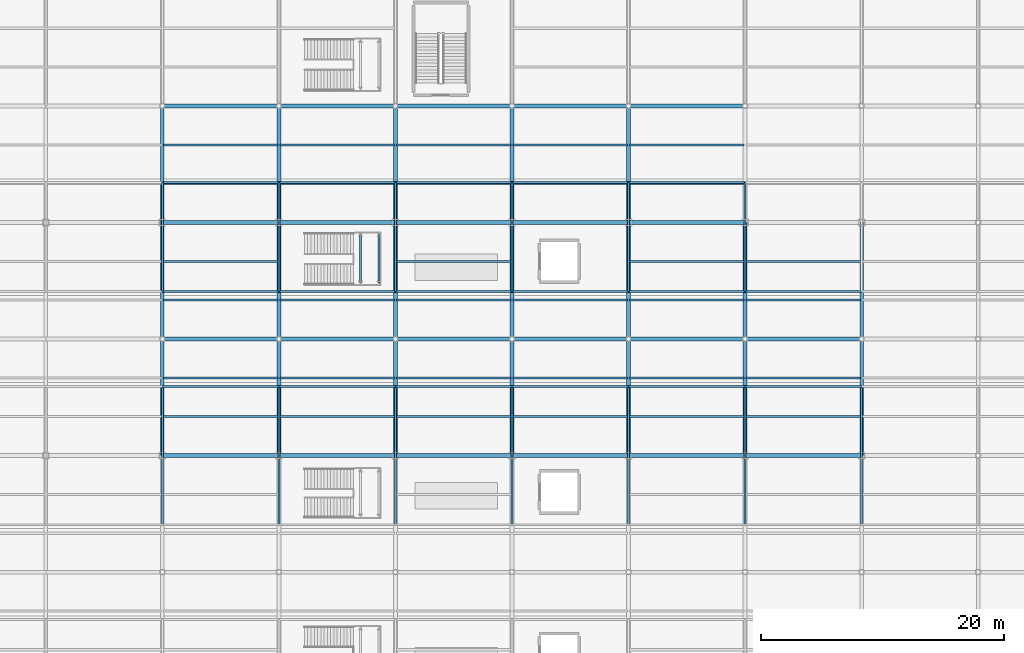
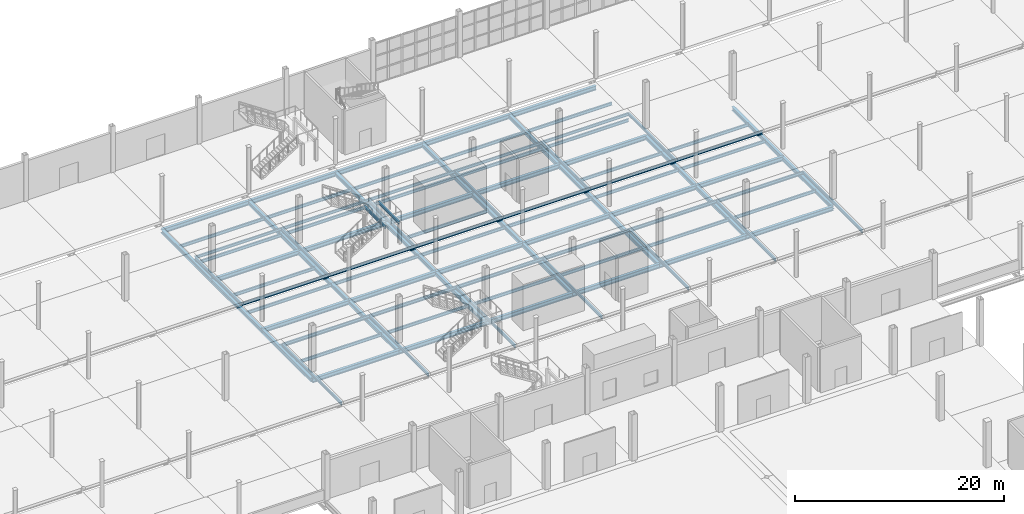
# One storey, part 32 of 85: 105 beams.
"""IFC4 building model written with IfcOpenShell, lengths in metres."""

from ifc_helpers import new_model, si_unit, direction, frame, origin, origin_2d, place, context, subcontext, project, spatial, i_section, extrude, material, material_profile, profile_set, type_object, element, save


model = new_model("IFC4")

# Units and contexts
model_context = context("Model", 3, precision=1e-05, world=origin(), true_north=direction((0.0, 1.0)))
body_context = subcontext(model_context, "Body", "Model", "MODEL_VIEW")
ifc_project = project(units=[si_unit("LENGTHUNIT", "METRE"), si_unit("AREAUNIT", "SQUARE_METRE"), si_unit("VOLUMEUNIT", "CUBIC_METRE"), si_unit("PLANEANGLEUNIT", "RADIAN"), si_unit("MASSUNIT", "GRAM", prefix="KILO")], contexts=[model_context])

# Site, building, storey
site_placement = place(None, origin())
site = spatial("IfcSite", under=ifc_project, at=site_placement, CompositionType="ELEMENT")
building_placement = place(site_placement, origin())
building = spatial("IfcBuilding", under=site, at=building_placement, Name="Zarnetskaya Central Station", CompositionType="ELEMENT")
storey_placement = place(building_placement, origin())
storey = spatial("IfcBuildingStorey", under=building, at=storey_placement, Name="L00", CompositionType="ELEMENT", Elevation=0.0)

# Beams
ifc_material = material(Name="Steel S355", Category="steel")
ifc_material_profile_1 = material_profile(ifc_material, i_section(OverallWidth=0.14990234375, OverallDepth=0.300048828125, WebThickness=0.007080078125, FlangeThickness=0.0107421875, FilletRadius=0.014892578125, at=origin_2d()), Name="IPE 300")
ifc_profile_set_1 = profile_set([ifc_material_profile_1], Name="Steel S355")
beam_type_1 = type_object("IfcBeamType", Name="BM-SEC-300", PredefinedType="BEAM", material=ifc_profile_set_1)
for number, where, z_axis, x_axis, name in (
    (1, (83.530029296875, 100.60009765625, 2.364990234375), (0.0, 1.0, 0.0), (-1.0, 0.0, 0.0), "Stair half-landing bearer BM-STL-ST-P3-W"),
    (2, (85.050048828125, 100.60009765625, 2.364990234375), (0.0, 1.0, 0.0), (-1.0, 0.0, 0.0), "Stair half-landing bearer BM-STL-ST-P3-E"),
):
    element("IfcBeam", number, at=place(storey_placement, frame(where, z_axis=z_axis, x_axis=x_axis)), inside=storey, type_object=beam_type_1, Name=name, PredefinedType="BEAM", context=body_context, shape_type="SweptSolid", body=[
        extrude(i_section(OverallWidth=0.14990234375, OverallDepth=0.300048828125, WebThickness=0.007080078125, FlangeThickness=0.0107421875, FilletRadius=0.014892578125, at=origin_2d()), origin(), (0.0, 0.0, 1.0), 4.0),
    ])
ifc_material_profile_2 = material_profile(ifc_material, i_section(OverallWidth=0.159912109375, OverallDepth=0.330078125, WebThickness=0.007568359375, FlangeThickness=0.011474609375, FilletRadius=0.01806640625, at=origin_2d()), Name="IPE 330")
ifc_profile_set_2 = profile_set([ifc_material_profile_2], Name="Steel S355")
beam_type_2 = type_object("IfcBeamType", Name="BM-SEC-330", PredefinedType="BEAM", material=ifc_profile_set_2)
for number, where, z_axis, x_axis, name in (
    (3, (67.199951171875, 80.699951171875, -0.465087890625), (0.0, 1.0, 0.0), (-1.0, 0.0, 0.0), "Platform transverse bearer GY-PLT-P2-H"),
    (4, (76.800048828125, 80.699951171875, -0.465087890625), (0.0, 1.0, 0.0), (-1.0, 0.0, 0.0), "Platform transverse bearer GY-PLT-P2-J"),
    (5, (86.39990234375, 80.699951171875, -0.465087890625), (0.0, 1.0, 0.0), (-1.0, 0.0, 0.0), "Platform transverse bearer GY-PLT-P2-K"),
    (6, (96.0, 80.699951171875, -0.465087890625), (0.0, 1.0, 0.0), (-1.0, 0.0, 0.0), "Platform transverse bearer GY-PLT-P2-L"),
    (7, (105.60009765625, 80.699951171875, -0.465087890625), (0.0, 1.0, 0.0), (-1.0, 0.0, 0.0), "Platform transverse bearer GY-PLT-P2-M"),
    (8, (115.199951171875, 80.699951171875, -0.465087890625), (0.0, 1.0, 0.0), (-1.0, 0.0, 0.0), "Platform transverse bearer GY-PLT-P2-N"),
    (9, (124.800048828125, 80.699951171875, -0.465087890625), (0.0, 1.0, 0.0), (-1.0, 0.0, 0.0), "Platform transverse bearer GY-PLT-P2-P"),
):
    element("IfcBeam", number, at=place(storey_placement, frame(where, z_axis=z_axis, x_axis=x_axis)), inside=storey, type_object=beam_type_2, Name=name, PredefinedType="BEAM", context=body_context, shape_type="SweptSolid", body=[
        extrude(i_section(OverallWidth=0.159912109375, OverallDepth=0.330078125, WebThickness=0.007568359375, FlangeThickness=0.011474609375, FilletRadius=0.01806640625, at=origin_2d()), origin(), (0.0, 0.0, 1.0), 11.400146484375),
    ])
beam_1_placement = place(storey_placement, frame((67.199951171875, 92.10009765625, -0.465087890625), z_axis=(1.0, 0.0, 0.0), x_axis=(0.0, 1.0, 0.0)))
element("IfcBeam", 10, at=beam_1_placement, inside=storey, type_object=beam_type_2, Name="Platform north edge beam GX-PLT-P2-HJ-N", PredefinedType="BEAM", context=body_context, shape_type="SweptSolid", body=[
    extrude(i_section(OverallWidth=0.159912109375, OverallDepth=0.330078125, WebThickness=0.007568359375, FlangeThickness=0.011474609375, FilletRadius=0.01806640625, at=origin_2d()), origin(), (0.0, 0.0, 1.0), 9.60009765625),
])
beam_2_placement = place(storey_placement, frame((76.800048828125, 92.10009765625, -0.465087890625), z_axis=(1.0, 0.0, 0.0), x_axis=(0.0, 1.0, 0.0)))
element("IfcBeam", 11, at=beam_2_placement, inside=storey, type_object=beam_type_2, Name="Platform north edge beam GX-PLT-P2-JK-N", PredefinedType="BEAM", context=body_context, shape_type="SweptSolid", body=[
    extrude(i_section(OverallWidth=0.159912109375, OverallDepth=0.330078125, WebThickness=0.007568359375, FlangeThickness=0.011474609375, FilletRadius=0.01806640625, at=origin_2d()), origin(), (0.0, 0.0, 1.0), 9.599853515625),
])
for number, where, z_axis, x_axis, name in (
    (12, (86.39990234375, 92.10009765625, -0.465087890625), (1.0, 0.0, 0.0), (0.0, 1.0, 0.0), "Platform north edge beam GX-PLT-P2-KL-N"),
    (13, (96.0, 92.10009765625, -0.465087890625), (1.0, 0.0, 0.0), (0.0, 1.0, 0.0), "Platform north edge beam GX-PLT-P2-LM-N"),
):
    element("IfcBeam", number, at=place(storey_placement, frame(where, z_axis=z_axis, x_axis=x_axis)), inside=storey, type_object=beam_type_2, Name=name, PredefinedType="BEAM", context=body_context, shape_type="SweptSolid", body=[
        extrude(i_section(OverallWidth=0.159912109375, OverallDepth=0.330078125, WebThickness=0.007568359375, FlangeThickness=0.011474609375, FilletRadius=0.01806640625, at=origin_2d()), origin(), (0.0, 0.0, 1.0), 9.60009765625),
    ])
beam_3_placement = place(storey_placement, frame((105.60009765625, 92.10009765625, -0.465087890625), z_axis=(1.0, 0.0, 0.0), x_axis=(0.0, 1.0, 0.0)))
element("IfcBeam", 14, at=beam_3_placement, inside=storey, type_object=beam_type_2, Name="Platform north edge beam GX-PLT-P2-MN-N", PredefinedType="BEAM", context=body_context, shape_type="SweptSolid", body=[
    extrude(i_section(OverallWidth=0.159912109375, OverallDepth=0.330078125, WebThickness=0.007568359375, FlangeThickness=0.011474609375, FilletRadius=0.01806640625, at=origin_2d()), origin(), (0.0, 0.0, 1.0), 9.599853515625),
])
beam_4_placement = place(storey_placement, frame((115.199951171875, 92.10009765625, -0.465087890625), z_axis=(1.0, 0.0, 0.0), x_axis=(0.0, 1.0, 0.0)))
element("IfcBeam", 15, at=beam_4_placement, inside=storey, type_object=beam_type_2, Name="Platform north edge beam GX-PLT-P2-NP-N", PredefinedType="BEAM", context=body_context, shape_type="SweptSolid", body=[
    extrude(i_section(OverallWidth=0.159912109375, OverallDepth=0.330078125, WebThickness=0.007568359375, FlangeThickness=0.011474609375, FilletRadius=0.01806640625, at=origin_2d()), origin(), (0.0, 0.0, 1.0), 9.60009765625),
])
for number, where, z_axis, x_axis, name in (
    (16, (67.199951171875, 99.89990234375, -0.465087890625), (0.0, 1.0, 0.0), (-1.0, 0.0, 0.0), "Platform transverse bearer GY-PLT-P3-H"),
    (17, (76.800048828125, 99.89990234375, -0.465087890625), (0.0, 1.0, 0.0), (-1.0, 0.0, 0.0), "Platform transverse bearer GY-PLT-P3-J"),
    (18, (86.39990234375, 99.89990234375, -0.465087890625), (0.0, 1.0, 0.0), (-1.0, 0.0, 0.0), "Platform transverse bearer GY-PLT-P3-K"),
    (19, (96.0, 99.89990234375, -0.465087890625), (0.0, 1.0, 0.0), (-1.0, 0.0, 0.0), "Platform transverse bearer GY-PLT-P3-L"),
    (20, (105.60009765625, 99.89990234375, -0.465087890625), (0.0, 1.0, 0.0), (-1.0, 0.0, 0.0), "Platform transverse bearer GY-PLT-P3-M"),
    (21, (115.199951171875, 99.89990234375, -0.465087890625), (0.0, 1.0, 0.0), (-1.0, 0.0, 0.0), "Platform transverse bearer GY-PLT-P3-N"),
):
    element("IfcBeam", number, at=place(storey_placement, frame(where, z_axis=z_axis, x_axis=x_axis)), inside=storey, type_object=beam_type_2, Name=name, PredefinedType="BEAM", context=body_context, shape_type="SweptSolid", body=[
        extrude(i_section(OverallWidth=0.159912109375, OverallDepth=0.330078125, WebThickness=0.007568359375, FlangeThickness=0.011474609375, FilletRadius=0.01806640625, at=origin_2d()), origin(), (0.0, 0.0, 1.0), 9.0),
    ])
for number, where, z_axis, x_axis, name in (
    (22, (67.199951171875, 99.89990234375, -0.465087890625), (1.0, 0.0, 0.0), (0.0, 1.0, 0.0), "Platform south edge beam GX-PLT-P3-HJ-S"),
    (23, (67.199951171875, 108.89990234375, -0.465087890625), (1.0, 0.0, 0.0), (0.0, 1.0, 0.0), "Platform north edge beam GX-PLT-P3-HJ-N"),
):
    element("IfcBeam", number, at=place(storey_placement, frame(where, z_axis=z_axis, x_axis=x_axis)), inside=storey, type_object=beam_type_2, Name=name, PredefinedType="BEAM", context=body_context, shape_type="SweptSolid", body=[
        extrude(i_section(OverallWidth=0.159912109375, OverallDepth=0.330078125, WebThickness=0.007568359375, FlangeThickness=0.011474609375, FilletRadius=0.01806640625, at=origin_2d()), origin(), (0.0, 0.0, 1.0), 9.60009765625),
    ])
for number, where, z_axis, x_axis, name in (
    (24, (76.800048828125, 99.89990234375, -0.465087890625), (1.0, 0.0, 0.0), (0.0, 1.0, 0.0), "Platform south edge beam GX-PLT-P3-JK-S"),
    (25, (76.800048828125, 108.89990234375, -0.465087890625), (1.0, 0.0, 0.0), (0.0, 1.0, 0.0), "Platform north edge beam GX-PLT-P3-JK-N"),
):
    element("IfcBeam", number, at=place(storey_placement, frame(where, z_axis=z_axis, x_axis=x_axis)), inside=storey, type_object=beam_type_2, Name=name, PredefinedType="BEAM", context=body_context, shape_type="SweptSolid", body=[
        extrude(i_section(OverallWidth=0.159912109375, OverallDepth=0.330078125, WebThickness=0.007568359375, FlangeThickness=0.011474609375, FilletRadius=0.01806640625, at=origin_2d()), origin(), (0.0, 0.0, 1.0), 9.599853515625),
    ])
for number, where, z_axis, x_axis, name in (
    (26, (86.39990234375, 99.89990234375, -0.465087890625), (1.0, 0.0, 0.0), (0.0, 1.0, 0.0), "Platform south edge beam GX-PLT-P3-KL-S"),
    (27, (86.39990234375, 108.89990234375, -0.465087890625), (1.0, 0.0, 0.0), (0.0, 1.0, 0.0), "Platform north edge beam GX-PLT-P3-KL-N"),
    (28, (96.0, 99.89990234375, -0.465087890625), (1.0, 0.0, 0.0), (0.0, 1.0, 0.0), "Platform south edge beam GX-PLT-P3-LM-S"),
    (29, (96.0, 108.89990234375, -0.465087890625), (1.0, 0.0, 0.0), (0.0, 1.0, 0.0), "Platform north edge beam GX-PLT-P3-LM-N"),
):
    element("IfcBeam", number, at=place(storey_placement, frame(where, z_axis=z_axis, x_axis=x_axis)), inside=storey, type_object=beam_type_2, Name=name, PredefinedType="BEAM", context=body_context, shape_type="SweptSolid", body=[
        extrude(i_section(OverallWidth=0.159912109375, OverallDepth=0.330078125, WebThickness=0.007568359375, FlangeThickness=0.011474609375, FilletRadius=0.01806640625, at=origin_2d()), origin(), (0.0, 0.0, 1.0), 9.60009765625),
    ])
for number, where, z_axis, x_axis, name in (
    (30, (105.60009765625, 99.89990234375, -0.465087890625), (1.0, 0.0, 0.0), (0.0, 1.0, 0.0), "Platform south edge beam GX-PLT-P3-MN-S"),
    (31, (105.60009765625, 108.89990234375, -0.465087890625), (1.0, 0.0, 0.0), (0.0, 1.0, 0.0), "Platform north edge beam GX-PLT-P3-MN-N"),
):
    element("IfcBeam", number, at=place(storey_placement, frame(where, z_axis=z_axis, x_axis=x_axis)), inside=storey, type_object=beam_type_2, Name=name, PredefinedType="BEAM", context=body_context, shape_type="SweptSolid", body=[
        extrude(i_section(OverallWidth=0.159912109375, OverallDepth=0.330078125, WebThickness=0.007568359375, FlangeThickness=0.011474609375, FilletRadius=0.01806640625, at=origin_2d()), origin(), (0.0, 0.0, 1.0), 9.599853515625),
    ])
beam_5_placement = place(storey_placement, frame((115.199951171875, 99.89990234375, -0.465087890625), z_axis=(1.0, 0.0, 0.0), x_axis=(0.0, 1.0, 0.0)))
element("IfcBeam", 32, at=beam_5_placement, inside=storey, type_object=beam_type_2, Name="Platform south edge beam GX-PLT-P3-NP-S", PredefinedType="BEAM", context=body_context, shape_type="SweptSolid", body=[
    extrude(i_section(OverallWidth=0.159912109375, OverallDepth=0.330078125, WebThickness=0.007568359375, FlangeThickness=0.011474609375, FilletRadius=0.01806640625, at=origin_2d()), origin(), (0.0, 0.0, 1.0), 9.60009765625),
])
ifc_material_profile_3 = material_profile(ifc_material, i_section(OverallWidth=0.169921875, OverallDepth=0.360107421875, WebThickness=0.008056640625, FlangeThickness=0.0126953125, FilletRadius=0.01806640625, at=origin_2d()), Name="IPE 360")
ifc_profile_set_3 = profile_set([ifc_material_profile_3], Name="Steel S355")
beam_type_3 = type_object("IfcBeamType", Name="BM-SEC-360", PredefinedType="BEAM", material=ifc_profile_set_3)
for number, where, z_axis, x_axis, name in (
    (33, (67.280029296875, 89.60009765625, -1.090087890625), (1.0, 0.0, 0.0), (0.0, 1.0, 0.0), "Secondary floor beam SEC-L00-Z91-HJ-1112-1"),
    (34, (67.280029296875, 92.800048828125, -1.090087890625), (1.0, 0.0, 0.0), (0.0, 1.0, 0.0), "Secondary floor beam SEC-L00-Z91-HJ-1112-2"),
    (35, (67.280029296875, 99.199951171875, -1.090087890625), (1.0, 0.0, 0.0), (0.0, 1.0, 0.0), "Secondary floor beam SEC-L00-Z91-HJ-1213-1"),
    (36, (67.280029296875, 102.39990234375, -1.090087890625), (1.0, 0.0, 0.0), (0.0, 1.0, 0.0), "Secondary floor beam SEC-L00-Z91-HJ-1213-2"),
    (37, (67.280029296875, 108.800048828125, -1.090087890625), (1.0, 0.0, 0.0), (0.0, 1.0, 0.0), "Secondary floor beam SEC-L00-Z91-HJ-1314-1"),
    (38, (67.280029296875, 112.0, -1.090087890625), (1.0, 0.0, 0.0), (0.0, 1.0, 0.0), "Secondary floor beam SEC-L00-Z91-HJ-1314-2"),
):
    element("IfcBeam", number, at=place(storey_placement, frame(where, z_axis=z_axis, x_axis=x_axis)), inside=storey, type_object=beam_type_3, Name=name, PredefinedType="BEAM", context=body_context, shape_type="SweptSolid", body=[
        extrude(i_section(OverallWidth=0.169921875, OverallDepth=0.360107421875, WebThickness=0.008056640625, FlangeThickness=0.0126953125, FilletRadius=0.01806640625, at=origin_2d()), origin(), (0.0, 0.0, 1.0), 9.43994140625),
    ])
for number, where, z_axis, x_axis, name in (
    (39, (76.8798828125, 89.60009765625, -1.090087890625), (1.0, 0.0, 0.0), (0.0, 1.0, 0.0), "Secondary floor beam SEC-L00-Z91-JK-1112-1"),
    (40, (76.8798828125, 92.800048828125, -1.090087890625), (1.0, 0.0, 0.0), (0.0, 1.0, 0.0), "Secondary floor beam SEC-L00-Z91-JK-1112-2"),
    (41, (76.8798828125, 99.199951171875, -1.090087890625), (1.0, 0.0, 0.0), (0.0, 1.0, 0.0), "Secondary floor beam SEC-L00-Z91-JK-1213-1"),
    (42, (76.8798828125, 108.800048828125, -1.090087890625), (1.0, 0.0, 0.0), (0.0, 1.0, 0.0), "Secondary floor beam SEC-L00-Z91-JK-1314-1"),
    (43, (76.8798828125, 112.0, -1.090087890625), (1.0, 0.0, 0.0), (0.0, 1.0, 0.0), "Secondary floor beam SEC-L00-Z91-JK-1314-2"),
):
    element("IfcBeam", number, at=place(storey_placement, frame(where, z_axis=z_axis, x_axis=x_axis)), inside=storey, type_object=beam_type_3, Name=name, PredefinedType="BEAM", context=body_context, shape_type="SweptSolid", body=[
        extrude(i_section(OverallWidth=0.169921875, OverallDepth=0.360107421875, WebThickness=0.008056640625, FlangeThickness=0.0126953125, FilletRadius=0.01806640625, at=origin_2d()), origin(), (0.0, 0.0, 1.0), 9.440185546875),
    ])
for number, where, z_axis, x_axis, name in (
    (44, (86.47998046875, 89.60009765625, -1.090087890625), (1.0, 0.0, 0.0), (0.0, 1.0, 0.0), "Secondary floor beam SEC-L00-Z91-KL-1112-1"),
    (45, (86.47998046875, 92.800048828125, -1.090087890625), (1.0, 0.0, 0.0), (0.0, 1.0, 0.0), "Secondary floor beam SEC-L00-Z91-KL-1112-2"),
    (46, (86.47998046875, 99.199951171875, -1.090087890625), (1.0, 0.0, 0.0), (0.0, 1.0, 0.0), "Secondary floor beam SEC-L00-Z91-KL-1213-1"),
    (47, (86.47998046875, 102.39990234375, -1.090087890625), (1.0, 0.0, 0.0), (0.0, 1.0, 0.0), "Secondary floor beam SEC-L00-Z91-KL-1213-2"),
    (48, (86.47998046875, 108.800048828125, -1.090087890625), (1.0, 0.0, 0.0), (0.0, 1.0, 0.0), "Secondary floor beam SEC-L00-Z91-KL-1314-1"),
    (49, (86.47998046875, 112.0, -1.090087890625), (1.0, 0.0, 0.0), (0.0, 1.0, 0.0), "Secondary floor beam SEC-L00-Z91-KL-1314-2"),
    (50, (96.080078125, 89.60009765625, -1.090087890625), (1.0, 0.0, 0.0), (0.0, 1.0, 0.0), "Secondary floor beam SEC-L00-Z91-LM-1112-1"),
    (51, (96.080078125, 92.800048828125, -1.090087890625), (1.0, 0.0, 0.0), (0.0, 1.0, 0.0), "Secondary floor beam SEC-L00-Z91-LM-1112-2"),
    (52, (96.080078125, 99.199951171875, -1.090087890625), (1.0, 0.0, 0.0), (0.0, 1.0, 0.0), "Secondary floor beam SEC-L00-Z91-LM-1213-1"),
    (53, (96.080078125, 108.800048828125, -1.090087890625), (1.0, 0.0, 0.0), (0.0, 1.0, 0.0), "Secondary floor beam SEC-L00-Z91-LM-1314-1"),
    (54, (96.080078125, 112.0, -1.090087890625), (1.0, 0.0, 0.0), (0.0, 1.0, 0.0), "Secondary floor beam SEC-L00-Z91-LM-1314-2"),
):
    element("IfcBeam", number, at=place(storey_placement, frame(where, z_axis=z_axis, x_axis=x_axis)), inside=storey, type_object=beam_type_3, Name=name, PredefinedType="BEAM", context=body_context, shape_type="SweptSolid", body=[
        extrude(i_section(OverallWidth=0.169921875, OverallDepth=0.360107421875, WebThickness=0.008056640625, FlangeThickness=0.0126953125, FilletRadius=0.01806640625, at=origin_2d()), origin(), (0.0, 0.0, 1.0), 9.43994140625),
    ])
for number, where, z_axis, x_axis, name in (
    (55, (105.679931640625, 89.60009765625, -1.090087890625), (1.0, 0.0, 0.0), (0.0, 1.0, 0.0), "Secondary floor beam SEC-L00-Z91-MN-1112-1"),
    (56, (105.679931640625, 92.800048828125, -1.090087890625), (1.0, 0.0, 0.0), (0.0, 1.0, 0.0), "Secondary floor beam SEC-L00-Z91-MN-1112-2"),
    (57, (105.679931640625, 99.199951171875, -1.090087890625), (1.0, 0.0, 0.0), (0.0, 1.0, 0.0), "Secondary floor beam SEC-L00-Z91-MN-1213-1"),
    (58, (105.679931640625, 102.39990234375, -1.090087890625), (1.0, 0.0, 0.0), (0.0, 1.0, 0.0), "Secondary floor beam SEC-L00-Z91-MN-1213-2"),
    (59, (105.679931640625, 108.800048828125, -1.090087890625), (1.0, 0.0, 0.0), (0.0, 1.0, 0.0), "Secondary floor beam SEC-L00-Z91-MN-1314-1"),
    (60, (105.679931640625, 112.0, -1.090087890625), (1.0, 0.0, 0.0), (0.0, 1.0, 0.0), "Secondary floor beam SEC-L00-Z91-MN-1314-2"),
):
    element("IfcBeam", number, at=place(storey_placement, frame(where, z_axis=z_axis, x_axis=x_axis)), inside=storey, type_object=beam_type_3, Name=name, PredefinedType="BEAM", context=body_context, shape_type="SweptSolid", body=[
        extrude(i_section(OverallWidth=0.169921875, OverallDepth=0.360107421875, WebThickness=0.008056640625, FlangeThickness=0.0126953125, FilletRadius=0.01806640625, at=origin_2d()), origin(), (0.0, 0.0, 1.0), 9.440185546875),
    ])
for number, where, z_axis, x_axis, name in (
    (61, (115.280029296875, 89.60009765625, -1.090087890625), (1.0, 0.0, 0.0), (0.0, 1.0, 0.0), "Secondary floor beam SEC-L00-Z91-NP-1112-1"),
    (62, (115.280029296875, 92.800048828125, -1.090087890625), (1.0, 0.0, 0.0), (0.0, 1.0, 0.0), "Secondary floor beam SEC-L00-Z91-NP-1112-2"),
    (63, (115.280029296875, 99.199951171875, -1.090087890625), (1.0, 0.0, 0.0), (0.0, 1.0, 0.0), "Secondary floor beam SEC-L00-Z91-NP-1213-1"),
    (64, (115.280029296875, 102.39990234375, -1.090087890625), (1.0, 0.0, 0.0), (0.0, 1.0, 0.0), "Secondary floor beam SEC-L00-Z91-NP-1213-2"),
):
    element("IfcBeam", number, at=place(storey_placement, frame(where, z_axis=z_axis, x_axis=x_axis)), inside=storey, type_object=beam_type_3, Name=name, PredefinedType="BEAM", context=body_context, shape_type="SweptSolid", body=[
        extrude(i_section(OverallWidth=0.169921875, OverallDepth=0.360107421875, WebThickness=0.008056640625, FlangeThickness=0.0126953125, FilletRadius=0.01806640625, at=origin_2d()), origin(), (0.0, 0.0, 1.0), 9.43994140625),
    ])
ifc_material_profile_4 = material_profile(ifc_material, i_section(OverallWidth=0.300048828125, OverallDepth=0.449951171875, WebThickness=0.013916015625, FlangeThickness=0.02587890625, FilletRadius=0.027099609375, at=origin_2d()), Name="HEB 450")
ifc_profile_set_4 = profile_set([ifc_material_profile_4], Name="Steel S355")
beam_type_4 = type_object("IfcBeamType", Name="GD-SUB-450", PredefinedType="USERDEFINED", material=ifc_profile_set_4)
for number, where, z_axis, x_axis, name in (
    (65, (67.199951171875, 86.39990234375, -1.135009765625), (0.0, 1.0, 0.0), (-1.0, 0.0, 0.0), "Grid girder GY-L00-H-1112"),
    (66, (67.199951171875, 96.0, -1.135009765625), (0.0, 1.0, 0.0), (-1.0, 0.0, 0.0), "Grid girder GY-L00-H-1213"),
):
    element("IfcBeam", number, at=place(storey_placement, frame(where, z_axis=z_axis, x_axis=x_axis)), inside=storey, type_object=beam_type_4, Name=name, ObjectType="GIRDER", PredefinedType="USERDEFINED", context=body_context, shape_type="SweptSolid", body=[
        extrude(i_section(OverallWidth=0.300048828125, OverallDepth=0.449951171875, WebThickness=0.013916015625, FlangeThickness=0.02587890625, FilletRadius=0.027099609375, at=origin_2d()), origin(), (0.0, 0.0, 1.0), 9.60009765625),
    ])
beam_6_placement = place(storey_placement, frame((67.199951171875, 105.60009765625, -1.135009765625), z_axis=(0.0, 1.0, 0.0), x_axis=(-1.0, 0.0, 0.0)))
element("IfcBeam", 67, at=beam_6_placement, inside=storey, type_object=beam_type_4, Name="Grid girder GY-L00-H-1314", ObjectType="GIRDER", PredefinedType="USERDEFINED", context=body_context, shape_type="SweptSolid", body=[
    extrude(i_section(OverallWidth=0.300048828125, OverallDepth=0.449951171875, WebThickness=0.013916015625, FlangeThickness=0.02587890625, FilletRadius=0.027099609375, at=origin_2d()), origin(), (0.0, 0.0, 1.0), 9.599853515625),
])
for number, where, z_axis, x_axis, name in (
    (68, (76.800048828125, 86.39990234375, -1.135009765625), (0.0, 1.0, 0.0), (-1.0, 0.0, 0.0), "Grid girder GY-L00-J-1112"),
    (69, (76.800048828125, 96.0, -1.135009765625), (0.0, 1.0, 0.0), (-1.0, 0.0, 0.0), "Grid girder GY-L00-J-1213"),
):
    element("IfcBeam", number, at=place(storey_placement, frame(where, z_axis=z_axis, x_axis=x_axis)), inside=storey, type_object=beam_type_4, Name=name, ObjectType="GIRDER", PredefinedType="USERDEFINED", context=body_context, shape_type="SweptSolid", body=[
        extrude(i_section(OverallWidth=0.300048828125, OverallDepth=0.449951171875, WebThickness=0.013916015625, FlangeThickness=0.02587890625, FilletRadius=0.027099609375, at=origin_2d()), origin(), (0.0, 0.0, 1.0), 9.60009765625),
    ])
beam_7_placement = place(storey_placement, frame((76.800048828125, 105.60009765625, -1.135009765625), z_axis=(0.0, 1.0, 0.0), x_axis=(-1.0, 0.0, 0.0)))
element("IfcBeam", 70, at=beam_7_placement, inside=storey, type_object=beam_type_4, Name="Grid girder GY-L00-J-1314", ObjectType="GIRDER", PredefinedType="USERDEFINED", context=body_context, shape_type="SweptSolid", body=[
    extrude(i_section(OverallWidth=0.300048828125, OverallDepth=0.449951171875, WebThickness=0.013916015625, FlangeThickness=0.02587890625, FilletRadius=0.027099609375, at=origin_2d()), origin(), (0.0, 0.0, 1.0), 9.599853515625),
])
for number, where, z_axis, x_axis, name in (
    (71, (86.39990234375, 86.39990234375, -1.135009765625), (0.0, 1.0, 0.0), (-1.0, 0.0, 0.0), "Grid girder GY-L00-K-1112"),
    (72, (86.39990234375, 96.0, -1.135009765625), (0.0, 1.0, 0.0), (-1.0, 0.0, 0.0), "Grid girder GY-L00-K-1213"),
):
    element("IfcBeam", number, at=place(storey_placement, frame(where, z_axis=z_axis, x_axis=x_axis)), inside=storey, type_object=beam_type_4, Name=name, ObjectType="GIRDER", PredefinedType="USERDEFINED", context=body_context, shape_type="SweptSolid", body=[
        extrude(i_section(OverallWidth=0.300048828125, OverallDepth=0.449951171875, WebThickness=0.013916015625, FlangeThickness=0.02587890625, FilletRadius=0.027099609375, at=origin_2d()), origin(), (0.0, 0.0, 1.0), 9.60009765625),
    ])
beam_8_placement = place(storey_placement, frame((86.39990234375, 105.60009765625, -1.135009765625), z_axis=(0.0, 1.0, 0.0), x_axis=(-1.0, 0.0, 0.0)))
element("IfcBeam", 73, at=beam_8_placement, inside=storey, type_object=beam_type_4, Name="Grid girder GY-L00-K-1314", ObjectType="GIRDER", PredefinedType="USERDEFINED", context=body_context, shape_type="SweptSolid", body=[
    extrude(i_section(OverallWidth=0.300048828125, OverallDepth=0.449951171875, WebThickness=0.013916015625, FlangeThickness=0.02587890625, FilletRadius=0.027099609375, at=origin_2d()), origin(), (0.0, 0.0, 1.0), 9.599853515625),
])
for number, where, z_axis, x_axis, name in (
    (74, (96.0, 86.39990234375, -1.135009765625), (0.0, 1.0, 0.0), (-1.0, 0.0, 0.0), "Grid girder GY-L00-L-1112"),
    (75, (96.0, 96.0, -1.135009765625), (0.0, 1.0, 0.0), (-1.0, 0.0, 0.0), "Grid girder GY-L00-L-1213"),
):
    element("IfcBeam", number, at=place(storey_placement, frame(where, z_axis=z_axis, x_axis=x_axis)), inside=storey, type_object=beam_type_4, Name=name, ObjectType="GIRDER", PredefinedType="USERDEFINED", context=body_context, shape_type="SweptSolid", body=[
        extrude(i_section(OverallWidth=0.300048828125, OverallDepth=0.449951171875, WebThickness=0.013916015625, FlangeThickness=0.02587890625, FilletRadius=0.027099609375, at=origin_2d()), origin(), (0.0, 0.0, 1.0), 9.60009765625),
    ])
beam_9_placement = place(storey_placement, frame((96.0, 105.60009765625, -1.135009765625), z_axis=(0.0, 1.0, 0.0), x_axis=(-1.0, 0.0, 0.0)))
element("IfcBeam", 76, at=beam_9_placement, inside=storey, type_object=beam_type_4, Name="Grid girder GY-L00-L-1314", ObjectType="GIRDER", PredefinedType="USERDEFINED", context=body_context, shape_type="SweptSolid", body=[
    extrude(i_section(OverallWidth=0.300048828125, OverallDepth=0.449951171875, WebThickness=0.013916015625, FlangeThickness=0.02587890625, FilletRadius=0.027099609375, at=origin_2d()), origin(), (0.0, 0.0, 1.0), 9.599853515625),
])
for number, where, z_axis, x_axis, name in (
    (77, (105.60009765625, 86.39990234375, -1.135009765625), (0.0, 1.0, 0.0), (-1.0, 0.0, 0.0), "Grid girder GY-L00-M-1112"),
    (78, (105.60009765625, 96.0, -1.135009765625), (0.0, 1.0, 0.0), (-1.0, 0.0, 0.0), "Grid girder GY-L00-M-1213"),
):
    element("IfcBeam", number, at=place(storey_placement, frame(where, z_axis=z_axis, x_axis=x_axis)), inside=storey, type_object=beam_type_4, Name=name, ObjectType="GIRDER", PredefinedType="USERDEFINED", context=body_context, shape_type="SweptSolid", body=[
        extrude(i_section(OverallWidth=0.300048828125, OverallDepth=0.449951171875, WebThickness=0.013916015625, FlangeThickness=0.02587890625, FilletRadius=0.027099609375, at=origin_2d()), origin(), (0.0, 0.0, 1.0), 9.60009765625),
    ])
beam_10_placement = place(storey_placement, frame((105.60009765625, 105.60009765625, -1.135009765625), z_axis=(0.0, 1.0, 0.0), x_axis=(-1.0, 0.0, 0.0)))
element("IfcBeam", 79, at=beam_10_placement, inside=storey, type_object=beam_type_4, Name="Grid girder GY-L00-M-1314", ObjectType="GIRDER", PredefinedType="USERDEFINED", context=body_context, shape_type="SweptSolid", body=[
    extrude(i_section(OverallWidth=0.300048828125, OverallDepth=0.449951171875, WebThickness=0.013916015625, FlangeThickness=0.02587890625, FilletRadius=0.027099609375, at=origin_2d()), origin(), (0.0, 0.0, 1.0), 9.599853515625),
])
for number, where, z_axis, x_axis, name in (
    (80, (115.199951171875, 86.39990234375, -1.135009765625), (0.0, 1.0, 0.0), (-1.0, 0.0, 0.0), "Grid girder GY-L00-N-1112"),
    (81, (115.199951171875, 96.0, -1.135009765625), (0.0, 1.0, 0.0), (-1.0, 0.0, 0.0), "Grid girder GY-L00-N-1213"),
    (82, (124.800048828125, 86.39990234375, -1.135009765625), (0.0, 1.0, 0.0), (-1.0, 0.0, 0.0), "Grid girder GY-L00-P-1112"),
    (83, (124.800048828125, 96.0, -1.135009765625), (0.0, 1.0, 0.0), (-1.0, 0.0, 0.0), "Grid girder GY-L00-P-1213"),
):
    element("IfcBeam", number, at=place(storey_placement, frame(where, z_axis=z_axis, x_axis=x_axis)), inside=storey, type_object=beam_type_4, Name=name, ObjectType="GIRDER", PredefinedType="USERDEFINED", context=body_context, shape_type="SweptSolid", body=[
        extrude(i_section(OverallWidth=0.300048828125, OverallDepth=0.449951171875, WebThickness=0.013916015625, FlangeThickness=0.02587890625, FilletRadius=0.027099609375, at=origin_2d()), origin(), (0.0, 0.0, 1.0), 9.60009765625),
    ])
ifc_material_profile_5 = material_profile(ifc_material, i_section(OverallWidth=0.300048828125, OverallDepth=0.5, WebThickness=0.014404296875, FlangeThickness=0.028076171875, FilletRadius=0.027099609375, at=origin_2d()), Name="HEB 500")
ifc_profile_set_5 = profile_set([ifc_material_profile_5], Name="Steel S355")
beam_type_5 = type_object("IfcBeamType", Name="GD-SUB-500", PredefinedType="USERDEFINED", material=ifc_profile_set_5)
for number, where, z_axis, x_axis, name in (
    (84, (67.199951171875, 86.39990234375, -1.159912109375), (1.0, 0.0, 0.0), (0.0, 1.0, 0.0), "Grid girder GX-L00-11-HJ"),
    (85, (67.199951171875, 96.0, -1.159912109375), (1.0, 0.0, 0.0), (0.0, 1.0, 0.0), "Grid girder GX-L00-12-HJ"),
    (86, (67.199951171875, 105.60009765625, -1.159912109375), (1.0, 0.0, 0.0), (0.0, 1.0, 0.0), "Grid girder GX-L00-13-HJ"),
    (87, (67.199951171875, 115.199951171875, -1.159912109375), (1.0, 0.0, 0.0), (0.0, 1.0, 0.0), "Grid girder GX-L00-14-HJ"),
):
    element("IfcBeam", number, at=place(storey_placement, frame(where, z_axis=z_axis, x_axis=x_axis)), inside=storey, type_object=beam_type_5, Name=name, ObjectType="GIRDER", PredefinedType="USERDEFINED", context=body_context, shape_type="SweptSolid", body=[
        extrude(i_section(OverallWidth=0.300048828125, OverallDepth=0.5, WebThickness=0.014404296875, FlangeThickness=0.028076171875, FilletRadius=0.027099609375, at=origin_2d()), origin(), (0.0, 0.0, 1.0), 9.60009765625),
    ])
for number, where, z_axis, x_axis, name in (
    (88, (76.800048828125, 86.39990234375, -1.159912109375), (1.0, 0.0, 0.0), (0.0, 1.0, 0.0), "Grid girder GX-L00-11-JK"),
    (89, (76.800048828125, 96.0, -1.159912109375), (1.0, 0.0, 0.0), (0.0, 1.0, 0.0), "Grid girder GX-L00-12-JK"),
    (90, (76.800048828125, 105.60009765625, -1.159912109375), (1.0, 0.0, 0.0), (0.0, 1.0, 0.0), "Grid girder GX-L00-13-JK"),
    (91, (76.800048828125, 115.199951171875, -1.159912109375), (1.0, 0.0, 0.0), (0.0, 1.0, 0.0), "Grid girder GX-L00-14-JK"),
):
    element("IfcBeam", number, at=place(storey_placement, frame(where, z_axis=z_axis, x_axis=x_axis)), inside=storey, type_object=beam_type_5, Name=name, ObjectType="GIRDER", PredefinedType="USERDEFINED", context=body_context, shape_type="SweptSolid", body=[
        extrude(i_section(OverallWidth=0.300048828125, OverallDepth=0.5, WebThickness=0.014404296875, FlangeThickness=0.028076171875, FilletRadius=0.027099609375, at=origin_2d()), origin(), (0.0, 0.0, 1.0), 9.599853515625),
    ])
for number, where, z_axis, x_axis, name in (
    (92, (86.39990234375, 86.39990234375, -1.159912109375), (1.0, 0.0, 0.0), (0.0, 1.0, 0.0), "Grid girder GX-L00-11-KL"),
    (93, (86.39990234375, 96.0, -1.159912109375), (1.0, 0.0, 0.0), (0.0, 1.0, 0.0), "Grid girder GX-L00-12-KL"),
    (94, (86.39990234375, 105.60009765625, -1.159912109375), (1.0, 0.0, 0.0), (0.0, 1.0, 0.0), "Grid girder GX-L00-13-KL"),
    (95, (86.39990234375, 115.199951171875, -1.159912109375), (1.0, 0.0, 0.0), (0.0, 1.0, 0.0), "Grid girder GX-L00-14-KL"),
    (96, (96.0, 86.39990234375, -1.159912109375), (1.0, 0.0, 0.0), (0.0, 1.0, 0.0), "Grid girder GX-L00-11-LM"),
    (97, (96.0, 96.0, -1.159912109375), (1.0, 0.0, 0.0), (0.0, 1.0, 0.0), "Grid girder GX-L00-12-LM"),
    (98, (96.0, 105.60009765625, -1.159912109375), (1.0, 0.0, 0.0), (0.0, 1.0, 0.0), "Grid girder GX-L00-13-LM"),
    (99, (96.0, 115.199951171875, -1.159912109375), (1.0, 0.0, 0.0), (0.0, 1.0, 0.0), "Grid girder GX-L00-14-LM"),
):
    element("IfcBeam", number, at=place(storey_placement, frame(where, z_axis=z_axis, x_axis=x_axis)), inside=storey, type_object=beam_type_5, Name=name, ObjectType="GIRDER", PredefinedType="USERDEFINED", context=body_context, shape_type="SweptSolid", body=[
        extrude(i_section(OverallWidth=0.300048828125, OverallDepth=0.5, WebThickness=0.014404296875, FlangeThickness=0.028076171875, FilletRadius=0.027099609375, at=origin_2d()), origin(), (0.0, 0.0, 1.0), 9.60009765625),
    ])
for number, where, z_axis, x_axis, name in (
    (100, (105.60009765625, 86.39990234375, -1.159912109375), (1.0, 0.0, 0.0), (0.0, 1.0, 0.0), "Grid girder GX-L00-11-MN"),
    (101, (105.60009765625, 96.0, -1.159912109375), (1.0, 0.0, 0.0), (0.0, 1.0, 0.0), "Grid girder GX-L00-12-MN"),
    (102, (105.60009765625, 105.60009765625, -1.159912109375), (1.0, 0.0, 0.0), (0.0, 1.0, 0.0), "Grid girder GX-L00-13-MN"),
    (103, (105.60009765625, 115.199951171875, -1.159912109375), (1.0, 0.0, 0.0), (0.0, 1.0, 0.0), "Grid girder GX-L00-14-MN"),
):
    element("IfcBeam", number, at=place(storey_placement, frame(where, z_axis=z_axis, x_axis=x_axis)), inside=storey, type_object=beam_type_5, Name=name, ObjectType="GIRDER", PredefinedType="USERDEFINED", context=body_context, shape_type="SweptSolid", body=[
        extrude(i_section(OverallWidth=0.300048828125, OverallDepth=0.5, WebThickness=0.014404296875, FlangeThickness=0.028076171875, FilletRadius=0.027099609375, at=origin_2d()), origin(), (0.0, 0.0, 1.0), 9.599853515625),
    ])
for number, where, z_axis, x_axis, name in (
    (104, (115.199951171875, 86.39990234375, -1.159912109375), (1.0, 0.0, 0.0), (0.0, 1.0, 0.0), "Grid girder GX-L00-11-NP"),
    (105, (115.199951171875, 96.0, -1.159912109375), (1.0, 0.0, 0.0), (0.0, 1.0, 0.0), "Grid girder GX-L00-12-NP"),
):
    element("IfcBeam", number, at=place(storey_placement, frame(where, z_axis=z_axis, x_axis=x_axis)), inside=storey, type_object=beam_type_5, Name=name, ObjectType="GIRDER", PredefinedType="USERDEFINED", context=body_context, shape_type="SweptSolid", body=[
        extrude(i_section(OverallWidth=0.300048828125, OverallDepth=0.5, WebThickness=0.014404296875, FlangeThickness=0.028076171875, FilletRadius=0.027099609375, at=origin_2d()), origin(), (0.0, 0.0, 1.0), 9.60009765625),
    ])

save(model, "model.ifc")
